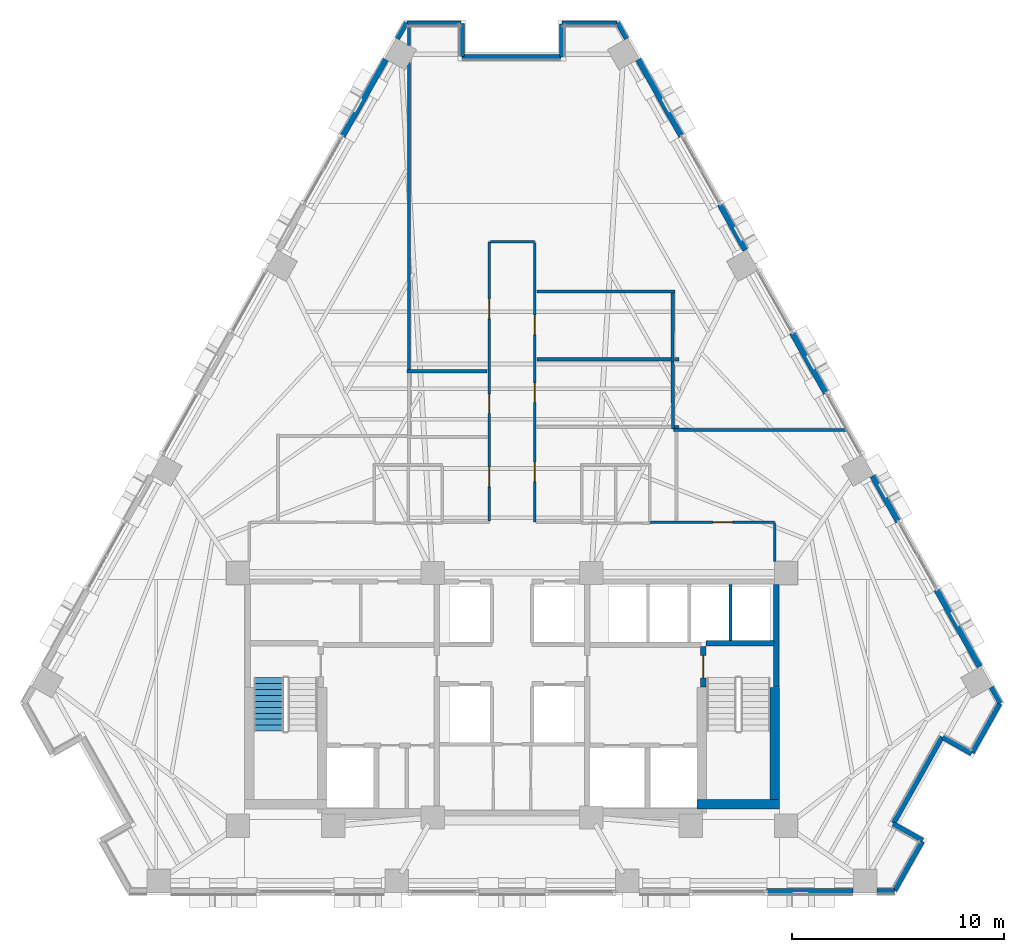
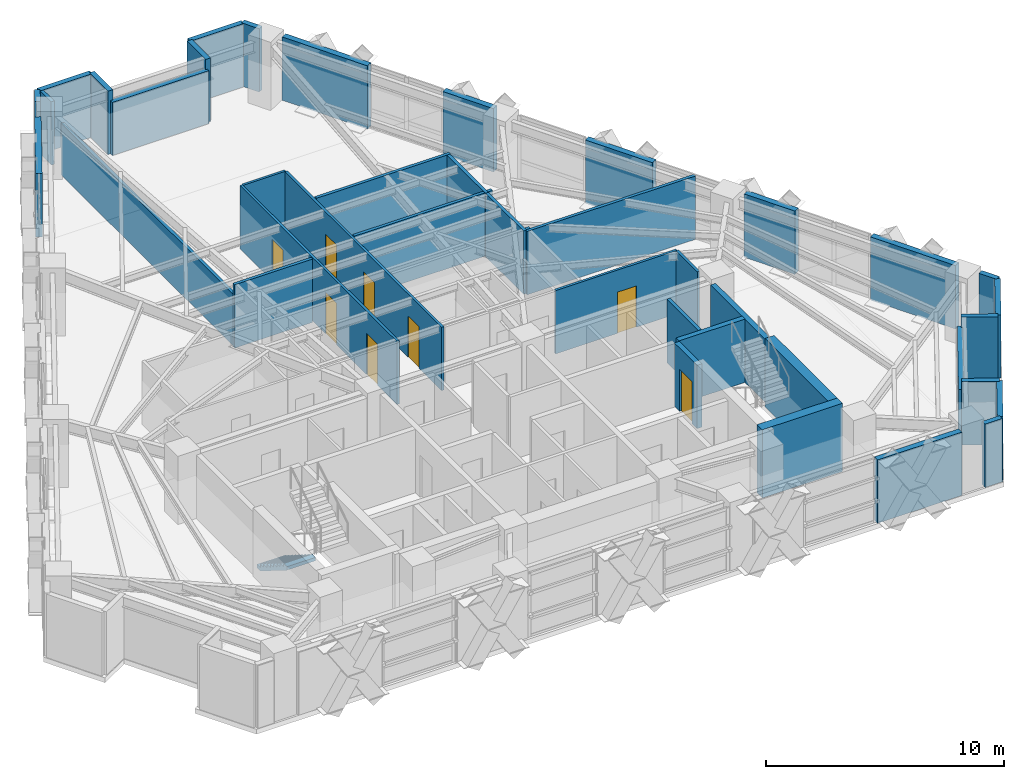
# One storey, part 9 of 14: 42 walls, 8 doors, 1 stair flight, 8 openings, 1 element without a shape of its own.
"""IFC4 building model written with IfcOpenShell, lengths in metres."""

from ifc_helpers import new_model, si_unit, direction, frame, frame_2d, origin, place, context, subcontext, project, spatial, polyline, rectangle, outline, extrude, material, layer, layer_set, type_object, element, fill, aggregate, save


model = new_model("IFC4")

# Units and contexts
model_context = context("Model", 3, precision=1e-05, world=origin(), true_north=direction((0.0, 1.0)))
body_context = subcontext(model_context, "Body", "Model", "MODEL_VIEW")
ifc_project = project(units=[si_unit("LENGTHUNIT", "METRE"), si_unit("AREAUNIT", "SQUARE_METRE"), si_unit("VOLUMEUNIT", "CUBIC_METRE"), si_unit("PLANEANGLEUNIT", "RADIAN"), si_unit("MASSUNIT", "GRAM", prefix="KILO")], contexts=[model_context])

# Site, building, storey
site_placement = place(None, origin())
site = spatial("IfcSite", under=ifc_project, at=site_placement, CompositionType="ELEMENT")
building_placement = place(site_placement, origin())
building = spatial("IfcBuilding", under=site, at=building_placement, Name="Quenlor Broadcast Tower", CompositionType="ELEMENT")
storey_placement = place(building_placement, frame((0.0, 0.0, 112.5)))
storey = spatial("IfcBuildingStorey", under=building, at=storey_placement, Name="L30", CompositionType="ELEMENT", Elevation=112.5)

# Walls
ifc_material_1 = material(Name="Acoustic Double Stud Gypsum Partition", Category="other")
ifc_layer_1 = layer(ifc_material_1, 0.14990234375)
ifc_layer_set_1 = layer_set([ifc_layer_1], Name="Broadcast Studio Acoustic Partition 150")
wall_type_1 = type_object("IfcWallType", Name="Broadcast Studio Acoustic Partition 150", PredefinedType="PARTITIONING", material=ifc_layer_set_1)
wall_1_placement = place(storey_placement, frame((7.693603515625, 8.5, 0.0), z_axis=(0.0, 0.0, 1.0), x_axis=(-1.0, 0.0, 0.0)))
element("IfcWall", 1, at=wall_1_placement, inside=storey, type_object=wall_type_1, Name="L30 Interior Wall PW-DV-01", PredefinedType="PARTITIONING", context=body_context, shape_type="SweptSolid", body=[
    extrude(rectangle(XDim=6.513671875, YDim=0.14990234375, at=frame_2d((3.2568359375, 0.0))), origin(), (0.0, 0.0, 1.0), 3.25),
])
wall_2_placement = place(storey_placement, frame((7.58984375, 5.199951171875, 0.0), z_axis=(0.0, 0.0, 1.0), x_axis=(0.001136190753, 0.999999354535, 0.0)))
element("IfcWall", 2, at=wall_2_placement, inside=storey, type_object=wall_type_1, Name="L30 Interior Wall PW-DV-02", PredefinedType="PARTITIONING", context=body_context, shape_type="SweptSolid", body=[
    extrude(rectangle(XDim=3.22314453125, YDim=0.14990234375, at=frame_2d((1.611572265625, 0.0))), origin(), (0.0, 0.0, 1.0), 3.25),
])
wall_3_placement = place(storey_placement, frame((7.60498046875, 2.0, 0.0), z_axis=(0.0, 0.0, 1.0), x_axis=(-0.004427775513, 0.999990197354, 0.0)))
element("IfcWall", 3, at=wall_3_placement, inside=storey, type_object=wall_type_1, Name="L30 Interior Wall PW-DV-03", PredefinedType="PARTITIONING", context=body_context, shape_type="SweptSolid", body=[
    extrude(rectangle(XDim=3.197998046875, YDim=0.14990234375, at=frame_2d((1.59912109375, 0.0))), origin(), (0.0, 0.0, 1.0), 3.25),
])
wall_4_placement = place(storey_placement, frame((-1.179931640625, 4.72998046875, 0.0), z_axis=(0.0, 0.0, 1.0), x_axis=(-1.0, 0.0, 0.0)))
element("IfcWall", 4, at=wall_4_placement, inside=storey, type_object=wall_type_1, Name="L30 Interior Wall PW-DV-04", PredefinedType="PARTITIONING", context=body_context, shape_type="SweptSolid", body=[
    extrude(rectangle(XDim=3.780029296875, YDim=0.14990234375, at=frame_2d((1.89013671875, 0.0))), origin(), (0.0, 0.0, 1.0), 3.25),
])
wall_5_placement = place(storey_placement, frame((-4.860107421875, 4.806884765625, 0.0), z_axis=(0.0, 0.0, 1.0), x_axis=(0.0, 1.0, 0.0)))
element("IfcWall", 5, at=wall_5_placement, inside=storey, type_object=wall_type_1, Name="L30 Interior Wall PW-DV-05", PredefinedType="PARTITIONING", context=body_context, shape_type="SweptSolid", body=[
    extrude(rectangle(XDim=14.50146484375, YDim=0.14990234375, at=frame_2d((7.250732421875, 0.0))), origin(), (0.0, 0.0, 1.0), 2.64794921875),
])
wall_6_placement = place(storey_placement, frame((-4.860107421875, 20.126220703125, 0.0), z_axis=(0.0, 0.0, 1.0), x_axis=(0.0, 1.0, 0.0)))
element("IfcWall", 6, at=wall_6_placement, inside=storey, type_object=wall_type_1, Name="L30 Interior Wall PW-DV-05S2", PredefinedType="PARTITIONING", context=body_context, shape_type="SweptSolid", body=[
    extrude(rectangle(XDim=0.919677734375, YDim=0.14990234375, at=frame_2d((0.4599609375, 0.0))), origin(), (0.0, 0.0, 1.0), 3.25),
])
wall_7_placement = place(storey_placement, frame((15.808349609375, 1.949462890625, 0.0), z_axis=(0.0, 0.0, 1.0), x_axis=(-0.999998283071, 0.001853066338, 0.0)))
element("IfcWall", 7, at=wall_7_placement, inside=storey, type_object=wall_type_1, Name="L30 Interior Wall PW-DV-06", PredefinedType="PARTITIONING", context=body_context, shape_type="SweptSolid", body=[
    extrude(rectangle(XDim=8.16845703125, YDim=0.14990234375, at=frame_2d((4.084228515625, 0.0))), origin(), (0.0, 0.0, 1.0), 3.25),
])
wall_8_placement = place(storey_placement, frame((7.8798828125, 5.300048828125, 0.0), z_axis=(0.0, 0.0, 1.0), x_axis=(-1.0, 0.0, 0.0)))
element("IfcWall", 8, at=wall_8_placement, inside=storey, type_object=wall_type_1, Name="L30 Interior Wall PW-DV-07", PredefinedType="PARTITIONING", context=body_context, shape_type="SweptSolid", body=[
    extrude(rectangle(XDim=0.212890625, YDim=0.14990234375, at=frame_2d((0.1064453125, 0.0))), origin(), (0.0, 0.0, 1.0), 3.25),
])
wall_9_placement = place(storey_placement, frame((7.512939453125, 5.300048828125, 0.0), z_axis=(0.0, 0.0, 1.0), x_axis=(-1.0, 0.0, 0.0)))
element("IfcWall", 9, at=wall_9_placement, inside=storey, type_object=wall_type_1, Name="L30 Interior Wall PW-DV-07S2", PredefinedType="PARTITIONING", context=body_context, shape_type="SweptSolid", body=[
    extrude(rectangle(XDim=6.3330078125, YDim=0.14990234375, at=frame_2d((3.16650390625, 0.0))), origin(), (0.0, 0.0, 1.0), 3.25),
])
wall_10_placement = place(storey_placement, frame((7.8798828125, 2.10009765625, 0.0), z_axis=(0.0, 0.0, 1.0), x_axis=(-1.0, 0.0, 0.0)))
element("IfcWall", 10, at=wall_10_placement, inside=storey, type_object=wall_type_1, Name="L30 Interior Wall PW-DV-08", PredefinedType="PARTITIONING", context=body_context, shape_type="SweptSolid", body=[
    extrude(rectangle(XDim=0.1982421875, YDim=0.14990234375, at=frame_2d((0.09912109375, 0.0))), origin(), (0.0, 0.0, 1.0), 3.25),
])
ifc_material_2 = material(Name="Concrete C50/60", Category="concrete")
ifc_layer_2 = layer(ifc_material_2, 0.449951171875)
ifc_layer_set_2 = layer_set([ifc_layer_2], Name="Core Concrete C50/60 Shear Wall 450")
wall_type_2 = type_object("IfcWallType", Name="Core Concrete C50/60 Shear Wall 450", PredefinedType="SHEAR", material=ifc_layer_set_2)
wall_11_placement = place(storey_placement, frame((8.75, -15.72509765625, 0.0), z_axis=(0.0, 0.0, 1.0), x_axis=(1.0, 0.0, 0.0)))
element("IfcWall", 11, at=wall_11_placement, inside=storey, type_object=wall_type_2, Name="L30 Core Shear Wall WS-E2", PredefinedType="SHEAR", context=body_context, shape_type="SweptSolid", body=[
    extrude(rectangle(XDim=3.89990234375, YDim=0.449951171875, at=frame_2d((1.949951171875, 0.0))), origin(), (0.0, 0.0, 1.0), 3.5),
])
wall_12_placement = place(storey_placement, frame((12.425048828125, -15.72509765625, 0.0), z_axis=(0.0, 0.0, 1.0), x_axis=(0.0, 1.0, 0.0)))
element("IfcWall", 12, at=wall_12_placement, inside=storey, type_object=wall_type_2, Name="L30 Core Shear Wall WF-E", PredefinedType="SHEAR", context=body_context, shape_type="SweptSolid", body=[
    extrude(rectangle(XDim=5.525146484375, YDim=0.449951171875, at=frame_2d((2.7626953125, 0.0))), origin(), (0.0, 0.0, 1.0), 3.5),
])

# Wall, opening, door
ifc_material_3 = material(Name="Concrete C40/50", Category="concrete")
ifc_layer_3 = layer(ifc_material_3, 0.25)
ifc_layer_set_3 = layer_set([ifc_layer_3], Name="Fire Rated Concrete C40/50 Core Wall 250")
wall_type_3 = type_object("IfcWallType", Name="Fire Rated Concrete C40/50 Core Wall 250", PredefinedType="PARTITIONING", material=ifc_layer_set_3)
wall_13_placement = place(storey_placement, frame((9.0400390625, -10.179931640625, 0.0), z_axis=(0.0, 0.0, 1.0), x_axis=(0.0, 1.0, 0.0)))
wall_13 = element("IfcWall", 13, at=wall_13_placement, inside=storey, type_object=wall_type_3, Name="L30 Interior Wall CW-ST2-DR", PredefinedType="PARTITIONING", context=body_context, shape_type="SweptSolid", body=[
    extrude(rectangle(XDim=1.89990234375, YDim=0.25, at=frame_2d((0.949951171875, 0.0))), origin(), (0.0, 0.0, 1.0), 3.25),
])
opening_1_placement = place(wall_13_placement, frame((0.419921875, 0.0, 0.0)))
opening_1 = element("IfcOpeningElement", 14, at=opening_1_placement, cuts=wall_13, Name="Opening FD-1", PredefinedType="OPENING", context=body_context, shape_type="SweptSolid", body=[
    extrude(rectangle(XDim=1.050048828125, YDim=2.14990234375, at=frame_2d((0.52490234375, 1.074951171875))), frame((0.0, 0.135009765625, 0.0), z_axis=(0.0, -1.0, 0.0), x_axis=(1.0, 0.0, 0.0)), (0.0, 0.0, 1.0), 0.27001953125),
])
ifc_material_4 = material(Name="Fire Rated Steel Door Leaf", Category="steel")
door_type_1 = type_object("IfcDoorType", Name="Fire Isolated Stair Door 1050x2150", OperationType="NOTDEFINED", PredefinedType="DOOR", material=ifc_material_4)
door_1_placement = place(opening_1_placement, origin())
door_1 = element("IfcDoor", 15, at=door_1_placement, inside=storey, type_object=door_type_1, Name="L30 Door DR-ST2", OperationType="SINGLE_SWING_RIGHT", OverallHeight=2.14990234375, OverallWidth=1.050048828125, PredefinedType="DOOR", context=body_context, shape_type="SweptSolid", body=[
    extrude(rectangle(XDim=1.050048828125, YDim=2.14990234375, at=frame_2d((0.52490234375, 1.074951171875))), frame((0.0, 0.02490234375, 0.0), z_axis=(0.0, -1.0, 0.0), x_axis=(1.0, 0.0, 0.0)), (0.0, 0.0, 1.0), 0.050048828125),
])
fill(opening_1, door_1)

# Walls
wall_14_placement = place(storey_placement, frame((9.159912109375, -8.1201171875, 0.0), z_axis=(0.0, 0.0, 1.0), x_axis=(1.0, 0.0, 0.0)))
element("IfcWall", 16, at=wall_14_placement, inside=storey, type_object=wall_type_3, Name="L30 Interior Wall CW-ST2-N", PredefinedType="PARTITIONING", context=body_context, shape_type="SweptSolid", body=[
    extrude(rectangle(XDim=3.219970703125, YDim=0.25, at=frame_2d((1.60986328125, 0.0))), origin(), (0.0, 0.0, 1.0), 3.25),
])
wall_15_placement = place(storey_placement, frame((12.47998046875, -10.179931640625, 0.0), z_axis=(0.0, 0.0, 1.0), x_axis=(0.0, 1.0, 0.0)))
element("IfcWall", 17, at=wall_15_placement, inside=storey, type_object=wall_type_3, Name="L30 Interior Wall CW-ST2-E2", PredefinedType="PARTITIONING", context=body_context, shape_type="SweptSolid", body=[
    extrude(rectangle(XDim=4.827880859375, YDim=0.25, at=frame_2d((2.4140625, 0.0))), origin(), (0.0, 0.0, 1.0), 3.25),
])
ifc_material_5 = material(Name="Gypsum Fireboard Partition", Category="other")
ifc_layer_4 = layer(ifc_material_5, 0.159912109375)
ifc_layer_set_4 = layer_set([ifc_layer_4], Name="Fire Rated Shaft and Corridor Partition 160")
wall_type_4 = type_object("IfcWallType", Name="Fire Rated Shaft and Corridor Partition 160", PredefinedType="PARTITIONING", material=ifc_layer_set_4)
wall_16_placement = place(storey_placement, frame((10.324951171875, -7.992919921875, 0.0), z_axis=(0.0, 0.0, 1.0), x_axis=(0.0, 1.0, 0.0)))
element("IfcWall", 18, at=wall_16_placement, inside=storey, type_object=wall_type_4, Name="L30 Interior Wall CW-PLH-D3", PredefinedType="PARTITIONING", context=body_context, shape_type="SweptSolid", body=[
    extrude(rectangle(XDim=2.65283203125, YDim=0.159912109375, at=frame_2d((1.326416015625, 0.0))), origin(), (0.0, 0.0, 1.0), 3.25),
])

# Wall, openings, doors
ifc_material_6 = material(Name="Gypsum Plasterboard Partition", Category="other")
ifc_layer_5 = layer(ifc_material_6, 0.1201171875)
ifc_layer_set_5 = layer_set([ifc_layer_5], Name="Standard Office Partition 120")
wall_type_5 = type_object("IfcWallType", Name="Standard Office Partition 120", PredefinedType="PARTITIONING", material=ifc_layer_set_5)
wall_17_placement = place(storey_placement, frame((-1.070068359375, -2.337890625, 0.0), z_axis=(0.0, 0.0, 1.0), x_axis=(0.0, 1.0, 0.0)))
wall_17 = element("IfcWall", 19, at=wall_17_placement, inside=storey, type_object=wall_type_5, Name="L30 Interior Wall PW-CR-03", PredefinedType="PARTITIONING", context=body_context, shape_type="SweptSolid", body=[
    extrude(rectangle(XDim=13.18798828125, YDim=0.1201171875, at=frame_2d((6.593994140625, 0.0))), origin(), (0.0, 0.0, 1.0), 3.25),
])
opening_2_placement = place(wall_17_placement, frame((9.55908203125, 0.0, 0.0)))
opening_2 = element("IfcOpeningElement", 20, at=opening_2_placement, cuts=wall_17, Name="Opening ID-1", PredefinedType="OPENING", context=body_context, shape_type="SweptSolid", body=[
    extrude(rectangle(XDim=0.919921875, YDim=2.1201171875, at=frame_2d((0.4599609375, 1.06005859375))), frame((0.0, 0.070068359375, 0.0), z_axis=(0.0, -1.0, 0.0), x_axis=(1.0, 0.0, 0.0)), (0.0, 0.0, 1.0), 0.14013671875),
])
opening_3_placement = place(wall_17_placement, frame((5.077880859375, 0.0, 0.0)))
opening_3 = element("IfcOpeningElement", 21, at=opening_3_placement, cuts=wall_17, Name="Opening ID-1", PredefinedType="OPENING", context=body_context, shape_type="SweptSolid", body=[
    extrude(rectangle(XDim=0.919921875, YDim=2.1201171875, at=frame_2d((0.4599609375, 1.06005859375))), frame((0.0, 0.070068359375, 0.0), z_axis=(0.0, -1.0, 0.0), x_axis=(1.0, 0.0, 0.0)), (0.0, 0.0, 1.0), 0.14013671875),
])
opening_4_placement = place(wall_17_placement, frame((1.6220703125, 0.0, 0.0)))
opening_4 = element("IfcOpeningElement", 22, at=opening_4_placement, cuts=wall_17, Name="Opening ID-1", PredefinedType="OPENING", context=body_context, shape_type="SweptSolid", body=[
    extrude(rectangle(XDim=0.919921875, YDim=2.1201171875, at=frame_2d((0.4599609375, 1.06005859375))), frame((0.0, 0.070068359375, 0.0), z_axis=(0.0, -1.0, 0.0), x_axis=(1.0, 0.0, 0.0)), (0.0, 0.0, 1.0), 0.14013671875),
])
ifc_material_7 = material(Name="Solid Core Timber Oak", Category="wood")
door_type_2 = type_object("IfcDoorType", Name="Single Leaf Timber Office Door 920x2120", OperationType="NOTDEFINED", PredefinedType="DOOR", material=ifc_material_7)
door_2_placement = place(opening_2_placement, origin())
door_2 = element("IfcDoor", 23, at=door_2_placement, inside=storey, type_object=door_type_2, Name="L30 Door DR-RM01", OperationType="SINGLE_SWING_RIGHT", OverallHeight=2.1201171875, OverallWidth=0.919921875, PredefinedType="DOOR", context=body_context, shape_type="SweptSolid", body=[
    extrude(rectangle(XDim=0.919921875, YDim=2.1201171875, at=frame_2d((0.4599609375, 1.06005859375))), frame((0.0, 0.02490234375, 0.0), z_axis=(0.0, -1.0, 0.0), x_axis=(1.0, 0.0, 0.0)), (0.0, 0.0, 1.0), 0.050048828125),
])
fill(opening_2, door_2)
door_3_placement = place(opening_3_placement, origin())
door_3 = element("IfcDoor", 24, at=door_3_placement, inside=storey, type_object=door_type_2, Name="L30 Door DR-RM04", OperationType="SINGLE_SWING_LEFT", OverallHeight=2.1201171875, OverallWidth=0.919921875, PredefinedType="DOOR", context=body_context, shape_type="SweptSolid", body=[
    extrude(rectangle(XDim=0.919921875, YDim=2.1201171875, at=frame_2d((0.4599609375, 1.06005859375))), frame((0.0, 0.02490234375, 0.0), z_axis=(0.0, -1.0, 0.0), x_axis=(1.0, 0.0, 0.0)), (0.0, 0.0, 1.0), 0.050048828125),
])
fill(opening_3, door_3)
door_4_placement = place(opening_4_placement, origin())
door_4 = element("IfcDoor", 25, at=door_4_placement, inside=storey, type_object=door_type_2, Name="L30 Door DR-RM06", OperationType="SINGLE_SWING_LEFT", OverallHeight=2.1201171875, OverallWidth=0.919921875, PredefinedType="DOOR", context=body_context, shape_type="SweptSolid", body=[
    extrude(rectangle(XDim=0.919921875, YDim=2.1201171875, at=frame_2d((0.4599609375, 1.06005859375))), frame((0.0, 0.02490234375, 0.0), z_axis=(0.0, -1.0, 0.0), x_axis=(1.0, 0.0, 0.0)), (0.0, 0.0, 1.0), 0.050048828125),
])
fill(opening_4, door_4)

# Wall
wall_18_placement = place(storey_placement, frame((-1.008056640625, 10.85009765625, 0.0), z_axis=(0.0, 0.0, 1.0), x_axis=(1.0, 0.0, 0.0)))
element("IfcWall", 26, at=wall_18_placement, inside=storey, type_object=wall_type_5, Name="L30 Interior Wall PW-CR-04", PredefinedType="PARTITIONING", context=body_context, shape_type="SweptSolid", body=[
    extrude(rectangle(XDim=2.078125, YDim=0.1201171875, at=frame_2d((1.0390625, 0.0))), origin(), (0.0, 0.0, 1.0), 3.25),
])

# Wall, openings, doors
wall_19_placement = place(storey_placement, frame((1.070068359375, 10.7880859375, 0.0), z_axis=(0.0, 0.0, 1.0), x_axis=(0.0, -1.0, 0.0)))
wall_19 = element("IfcWall", 27, at=wall_19_placement, inside=storey, type_object=wall_type_5, Name="L30 Interior Wall PW-CR-05", PredefinedType="PARTITIONING", context=body_context, shape_type="SweptSolid", body=[
    extrude(rectangle(XDim=13.18798828125, YDim=0.1201171875, at=frame_2d((6.593994140625, 0.0))), origin(), (0.0, 0.0, 1.0), 3.25),
])
opening_5_placement = place(wall_19_placement, frame((3.407958984375, 0.0, 0.0)))
opening_5 = element("IfcOpeningElement", 28, at=opening_5_placement, cuts=wall_19, Name="Opening ID-1", PredefinedType="OPENING", context=body_context, shape_type="SweptSolid", body=[
    extrude(rectangle(XDim=0.919921875, YDim=2.1201171875, at=frame_2d((0.4599609375, 1.06005859375))), frame((0.0, 0.070068359375, 0.0), z_axis=(0.0, -1.0, 0.0), x_axis=(1.0, 0.0, 0.0)), (0.0, 0.0, 1.0), 0.14013671875),
])
opening_6_placement = place(wall_19_placement, frame((6.60791015625, 0.0, 0.0)))
opening_6 = element("IfcOpeningElement", 29, at=opening_6_placement, cuts=wall_19, Name="Opening ID-1", PredefinedType="OPENING", context=body_context, shape_type="SweptSolid", body=[
    extrude(rectangle(XDim=0.919921875, YDim=2.1201171875, at=frame_2d((0.4599609375, 1.06005859375))), frame((0.0, 0.070068359375, 0.0), z_axis=(0.0, -1.0, 0.0), x_axis=(1.0, 0.0, 0.0)), (0.0, 0.0, 1.0), 0.14013671875),
])
opening_7_placement = place(wall_19_placement, frame((10.34912109375, 0.0, 0.0)))
opening_7 = element("IfcOpeningElement", 30, at=opening_7_placement, cuts=wall_19, Name="Opening ID-1", PredefinedType="OPENING", context=body_context, shape_type="SweptSolid", body=[
    extrude(rectangle(XDim=0.919921875, YDim=2.1201171875, at=frame_2d((0.4599609375, 1.06005859375))), frame((0.0, 0.070068359375, 0.0), z_axis=(0.0, -1.0, 0.0), x_axis=(1.0, 0.0, 0.0)), (0.0, 0.0, 1.0), 0.14013671875),
])
door_5_placement = place(opening_5_placement, origin())
door_5 = element("IfcDoor", 31, at=door_5_placement, inside=storey, type_object=door_type_2, Name="L30 Door DR-RM02", OperationType="SINGLE_SWING_LEFT", OverallHeight=2.1201171875, OverallWidth=0.919921875, PredefinedType="DOOR", context=body_context, shape_type="SweptSolid", body=[
    extrude(rectangle(XDim=0.919921875, YDim=2.1201171875, at=frame_2d((0.4599609375, 1.06005859375))), frame((0.0, 0.02490234375, 0.0), z_axis=(0.0, -1.0, 0.0), x_axis=(1.0, 0.0, 0.0)), (0.0, 0.0, 1.0), 0.050048828125),
])
fill(opening_5, door_5)
door_6_placement = place(opening_6_placement, origin())
door_6 = element("IfcDoor", 32, at=door_6_placement, inside=storey, type_object=door_type_2, Name="L30 Door DR-RM03", OperationType="SINGLE_SWING_RIGHT", OverallHeight=2.1201171875, OverallWidth=0.919921875, PredefinedType="DOOR", context=body_context, shape_type="SweptSolid", body=[
    extrude(rectangle(XDim=0.919921875, YDim=2.1201171875, at=frame_2d((0.4599609375, 1.06005859375))), frame((0.0, 0.02490234375, 0.0), z_axis=(0.0, -1.0, 0.0), x_axis=(1.0, 0.0, 0.0)), (0.0, 0.0, 1.0), 0.050048828125),
])
fill(opening_6, door_6)
door_7_placement = place(opening_7_placement, origin())
door_7 = element("IfcDoor", 33, at=door_7_placement, inside=storey, type_object=door_type_2, Name="L30 Door DR-RM05", OperationType="SINGLE_SWING_RIGHT", OverallHeight=2.1201171875, OverallWidth=0.919921875, PredefinedType="DOOR", context=body_context, shape_type="SweptSolid", body=[
    extrude(rectangle(XDim=0.919921875, YDim=2.1201171875, at=frame_2d((0.4599609375, 1.06005859375))), frame((0.0, 0.02490234375, 0.0), z_axis=(0.0, -1.0, 0.0), x_axis=(1.0, 0.0, 0.0)), (0.0, 0.0, 1.0), 0.050048828125),
])
fill(opening_7, door_7)

# Wall, opening, door
wall_20_placement = place(storey_placement, frame((6.511962890625, -2.39990234375, 0.0), z_axis=(0.0, 0.0, 1.0), x_axis=(1.0, 0.0, 0.0)))
wall_20 = element("IfcWall", 34, at=wall_20_placement, inside=storey, type_object=wall_type_5, Name="L30 Interior Wall PW-CR-06S2", PredefinedType="PARTITIONING", context=body_context, shape_type="SweptSolid", body=[
    extrude(rectangle(XDim=5.89794921875, YDim=0.1201171875, at=frame_2d((2.948974609375, 0.0))), origin(), (0.0, 0.0, 1.0), 3.25),
])
opening_8_placement = place(wall_20_placement, frame((2.993896484375, 0.0, 0.0)))
opening_8 = element("IfcOpeningElement", 35, at=opening_8_placement, cuts=wall_20, Name="Opening ID-1", PredefinedType="OPENING", context=body_context, shape_type="SweptSolid", body=[
    extrude(rectangle(XDim=0.919921875, YDim=2.1201171875, at=frame_2d((0.4599609375, 1.06005859375))), frame((0.0, 0.070068359375, 0.0), z_axis=(0.0, -1.0, 0.0), x_axis=(1.0, 0.0, 0.0)), (0.0, 0.0, 1.0), 0.14013671875),
])
door_8_placement = place(opening_8_placement, origin())
door_8 = element("IfcDoor", 36, at=door_8_placement, inside=storey, type_object=door_type_2, Name="L30 Door DR-RM08", OperationType="SINGLE_SWING_LEFT", OverallHeight=2.1201171875, OverallWidth=0.919921875, PredefinedType="DOOR", context=body_context, shape_type="SweptSolid", body=[
    extrude(rectangle(XDim=0.919921875, YDim=2.1201171875, at=frame_2d((0.4599609375, 1.06005859375))), frame((0.0, 0.02490234375, 0.0), z_axis=(0.0, -1.0, 0.0), x_axis=(1.0, 0.0, 0.0)), (0.0, 0.0, 1.0), 0.050048828125),
])
fill(opening_8, door_8)

# Walls
wall_21_placement = place(storey_placement, frame((12.409912109375, -2.4619140625, 0.0), z_axis=(0.0, 0.0, 1.0), x_axis=(0.0, -1.0, 0.0)))
element("IfcWall", 37, at=wall_21_placement, inside=storey, type_object=wall_type_5, Name="L30 Interior Wall PW-CR-07", PredefinedType="PARTITIONING", context=body_context, shape_type="SweptSolid", body=[
    extrude(rectangle(XDim=1.7861328125, YDim=0.1201171875, at=frame_2d((0.89306640625, 0.0))), origin(), (0.0, 0.0, 1.0), 3.25),
])
ifc_material_8 = material(Name="Precast concrete C40/50", Category="concrete")
ifc_layer_6 = layer(ifc_material_8, 0.239990234375)
ifc_layer_set_6 = layer_set([ifc_layer_6], Name="Terrace Threshold Precast Concrete C40/50 Wall 240")
wall_type_6 = type_object("IfcWallType", Name="Terrace Threshold Precast Concrete C40/50 Wall 240", PredefinedType="STANDARD", material=ifc_layer_set_6)
wall_22_placement = place(storey_placement, frame((18.083984375, -19.840087890625, 0.0), z_axis=(0.0, 0.0, 1.0), x_axis=(-1.0, 0.0, 0.0)))
element("IfcWall", 38, at=wall_22_placement, inside=storey, type_object=wall_type_6, Name="L30 Exterior Wall L30-SHD-SS0", PredefinedType="STANDARD", context=body_context, shape_type="SweptSolid", body=[
    extrude(rectangle(XDim=0.83642578125, YDim=0.239990234375, at=frame_2d((0.418212890625, 0.0))), origin(), (0.0, 0.0, 1.0), 3.25),
])
for number, where, z_axis, x_axis, name in (
    (39, (4.992919921875, 21.197265625, 0.0), (0.0, 0.0, 1.0), (0.490355003566, -0.871522788272, 0.0), "L30 Exterior Wall L30-SHD-NES0"),
    (40, (22.65380859375, -10.199951171875, 0.0), (0.0, 0.0, 1.0), (0.490355003566, -0.871522788272, 0.0), "L30 Exterior Wall L30-SHD-NES1"),
    (41, (-5.417236328125, 20.443115234375, 0.0), (0.0, 0.0, 1.0), (0.490355003566, 0.871522788272, 0.0), "L30 Exterior Wall L30-SHD-NWS1"),
):
    element("IfcWall", number, at=place(storey_placement, frame(where, z_axis=z_axis, x_axis=x_axis)), inside=storey, type_object=wall_type_6, Name=name, PredefinedType="STANDARD", context=body_context, shape_type="SweptSolid", body=[
        extrude(rectangle(XDim=0.865234375, YDim=0.239990234375, at=frame_2d((0.4326171875, 0.0))), origin(), (0.0, 0.0, 1.0), 3.25),
    ])
wall_23_placement = place(storey_placement, frame((19.39892578125, -17.4423828125, 0.0), z_axis=(0.0, 0.0, 1.0), x_axis=(-0.871575537125, 0.490261239633, 0.0)))
element("IfcWall", 42, at=wall_23_placement, inside=storey, type_object=wall_type_6, Name="L30 Exterior Wall L30-CNR-01", PredefinedType="STANDARD", context=body_context, shape_type="SweptSolid", body=[
    extrude(rectangle(XDim=1.60009765625, YDim=0.239990234375, at=frame_2d((0.800048828125, 0.0))), origin(), (0.0, 0.0, 1.0), 3.25),
])
wall_24_placement = place(storey_placement, frame((18.024169921875, -16.623046875, 0.0), z_axis=(0.0, 0.0, 1.0), x_axis=(0.490273623647, 0.871568571001, 0.0)))
element("IfcWall", 43, at=wall_24_placement, inside=storey, type_object=wall_type_6, Name="L30 Exterior Wall L30-CNR-02", PredefinedType="STANDARD", context=body_context, shape_type="SweptSolid", body=[
    extrude(rectangle(XDim=4.679931640625, YDim=0.239990234375, at=frame_2d((2.33984375, 0.0))), origin(), (0.0, 0.0, 1.0), 2.7216796875),
])
wall_25_placement = place(storey_placement, frame((20.353515625, -12.563720703125, 0.0), z_axis=(0.0, 0.0, 1.0), x_axis=(0.871546278971, -0.490313250496, 0.0)))
element("IfcWall", 44, at=wall_25_placement, inside=storey, type_object=wall_type_6, Name="L30 Exterior Wall L30-CNR-03", PredefinedType="STANDARD", context=body_context, shape_type="SweptSolid", body=[
    extrude(rectangle(XDim=1.56005859375, YDim=0.239990234375, at=frame_2d((0.780029296875, 0.0))), origin(), (0.0, 0.0, 1.0), 3.25),
])
wall_26_placement = place(storey_placement, frame((21.732666015625, -13.293701171875, 0.0), z_axis=(0.0, 0.0, 1.0), x_axis=(0.490265590412, 0.871573089797, 0.0)))
element("IfcWall", 45, at=wall_26_placement, inside=storey, type_object=wall_type_6, Name="L30 Exterior Wall L30-CNR-04", PredefinedType="STANDARD", context=body_context, shape_type="SweptSolid", body=[
    extrude(rectangle(XDim=2.6640625, YDim=0.239990234375, at=frame_2d((1.33203125, 0.0))), origin(), (0.0, 0.0, 1.0), 3.25),
])
wall_27_placement = place(storey_placement, frame((4.95947265625, 21.16796875, 0.0), z_axis=(0.0, 0.0, 1.0), x_axis=(-1.0, 0.0, 0.0)))
element("IfcWall", 46, at=wall_27_placement, inside=storey, type_object=wall_type_6, Name="L30 Exterior Wall L30-CNR-06", PredefinedType="STANDARD", context=body_context, shape_type="SweptSolid", body=[
    extrude(rectangle(XDim=2.599365234375, YDim=0.239990234375, at=frame_2d((1.2998046875, 0.0))), origin(), (0.0, 0.0, 1.0), 3.25),
])
wall_28_placement = place(storey_placement, frame((2.360107421875, 21.1279296875, 0.0), z_axis=(0.0, 0.0, 1.0), x_axis=(0.0, -1.0, 0.0)))
element("IfcWall", 47, at=wall_28_placement, inside=storey, type_object=wall_type_6, Name="L30 Exterior Wall L30-CNR-07", PredefinedType="STANDARD", context=body_context, shape_type="SweptSolid", body=[
    extrude(rectangle(XDim=1.559814453125, YDim=0.239990234375, at=frame_2d((0.77978515625, 0.0))), origin(), (0.0, 0.0, 1.0), 3.25),
])
wall_29_placement = place(storey_placement, frame((2.320068359375, 19.568115234375, 0.0), z_axis=(0.0, 0.0, 1.0), x_axis=(-1.0, 0.0, 0.0)))
element("IfcWall", 48, at=wall_29_placement, inside=storey, type_object=wall_type_6, Name="L30 Exterior Wall L30-CNR-08", PredefinedType="STANDARD", context=body_context, shape_type="SweptSolid", body=[
    extrude(rectangle(XDim=4.68017578125, YDim=0.239990234375, at=frame_2d((2.340087890625, 0.0))), origin(), (0.0, 0.0, 1.0), 2.7216796875),
])
wall_30_placement = place(storey_placement, frame((-2.360107421875, 19.60791015625, 0.0), z_axis=(0.0, 0.0, 1.0), x_axis=(0.0, 1.0, 0.0)))
element("IfcWall", 49, at=wall_30_placement, inside=storey, type_object=wall_type_6, Name="L30 Exterior Wall L30-CNR-09", PredefinedType="STANDARD", context=body_context, shape_type="SweptSolid", body=[
    extrude(rectangle(XDim=1.56005859375, YDim=0.239990234375, at=frame_2d((0.780029296875, 0.0))), origin(), (0.0, 0.0, 1.0), 3.25),
])
wall_31_placement = place(storey_placement, frame((-2.39990234375, 21.16796875, 0.0), z_axis=(0.0, 0.0, 1.0), x_axis=(-1.0, 0.0, 0.0)))
element("IfcWall", 50, at=wall_31_placement, inside=storey, type_object=wall_type_6, Name="L30 Exterior Wall L30-CNR-10", PredefinedType="STANDARD", context=body_context, shape_type="SweptSolid", body=[
    extrude(rectangle(XDim=2.5595703125, YDim=0.239990234375, at=frame_2d((1.27978515625, 0.0))), origin(), (0.0, 0.0, 1.0), 3.25),
])
wall_32_placement = place(storey_placement, frame((18.074951171875, -19.79638671875, 0.0), z_axis=(0.0, 0.0, 1.0), x_axis=(0.490248170584, 0.871582888335, 0.0)))
element("IfcWall", 51, at=wall_32_placement, inside=storey, type_object=wall_type_6, Name="L30 Exterior Wall L30-CNR-18", PredefinedType="STANDARD", context=body_context, shape_type="SweptSolid", body=[
    extrude(rectangle(XDim=2.660888671875, YDim=0.239990234375, at=frame_2d((1.33056640625, 0.0))), origin(), (0.0, 0.0, 1.0), 3.25),
])
ifc_material_9 = material(Name="Precast concrete C40/50", Category="concrete")
ifc_layer_7 = layer(ifc_material_9, 0.280029296875)
ifc_layer_set_7 = layer_set([ifc_layer_7], Name="Terracotta Precast Concrete C40/50 Facade Wall 280")
wall_type_7 = type_object("IfcWallType", Name="Terracotta Precast Concrete C40/50 Facade Wall 280", PredefinedType="STANDARD", material=ifc_layer_set_7)
wall_33_placement = place(storey_placement, frame((16.117431640625, -19.840087890625, 0.0), z_axis=(0.0, 0.0, 1.0), x_axis=(-1.0, 0.0, 0.0)))
element("IfcWall", 52, at=wall_33_placement, inside=storey, type_object=wall_type_7, Name="L30 Exterior Wall L30-SA-SP1", PredefinedType="STANDARD", context=body_context, shape_type="SweptSolid", body=[
    extrude(rectangle(XDim=4.09814453125, YDim=0.280029296875, at=frame_2d((2.049072265625, 0.0))), origin(), (0.0, 0.0, 1.0), 3.25),
])
wall_34_placement = place(storey_placement, frame((5.97119140625, 19.458251953125, 0.0), z_axis=(0.0, 0.0, 1.0), x_axis=(0.490280725514, -0.87156457603, 0.0)))
element("IfcWall", 53, at=wall_34_placement, inside=storey, type_object=wall_type_7, Name="L30 Exterior Wall L30-NEA-SP1", PredefinedType="STANDARD", context=body_context, shape_type="SweptSolid", body=[
    extrude(rectangle(XDim=4.1640625, YDim=0.280029296875, at=frame_2d((2.08203125, 0.0))), origin(), (0.0, 0.0, 1.0), 3.25),
])
for number, where, z_axis, x_axis, name in (
    (54, (9.819091796875, 12.6171875, 0.0), (0.0, 0.0, 1.0), (0.490303410255, -0.871551814807, 0.0), "L30 Exterior Wall L30-NEA-SP2"),
    (55, (17.0390625, -0.218017578125, 0.0), (0.0, 0.0, 1.0), (0.490186269625, -0.871617703509, 0.0), "L30 Exterior Wall L30-NEC-SP1"),
):
    element("IfcWall", number, at=place(storey_placement, frame(where, z_axis=z_axis, x_axis=x_axis)), inside=storey, type_object=wall_type_7, Name=name, PredefinedType="STANDARD", context=body_context, shape_type="SweptSolid", body=[
        extrude(rectangle(XDim=2.473876953125, YDim=0.280029296875, at=frame_2d((1.23681640625, 0.0))), origin(), (0.0, 0.0, 1.0), 3.25),
    ])
wall_35_placement = place(storey_placement, frame((20.058349609375, -5.585693359375, 0.0), z_axis=(0.0, 0.0, 1.0), x_axis=(0.490255672477, -0.871578668626, 0.0)))
element("IfcWall", 56, at=wall_35_placement, inside=storey, type_object=wall_type_7, Name="L30 Exterior Wall L30-NEC-SP2", PredefinedType="STANDARD", context=body_context, shape_type="SweptSolid", body=[
    extrude(rectangle(XDim=4.1640625, YDim=0.280029296875, at=frame_2d((2.08203125, 0.0))), origin(), (0.0, 0.0, 1.0), 3.25),
])
wall_36_placement = place(storey_placement, frame((13.232177734375, 6.549560546875, 0.0), z_axis=(0.0, 0.0, 1.0), x_axis=(0.490310760781, -0.871547679626, 0.0)))
element("IfcWall", 57, at=wall_36_placement, inside=storey, type_object=wall_type_7, Name="L30 Exterior Wall L30-NE-SP1", PredefinedType="STANDARD", context=body_context, shape_type="SweptSolid", body=[
    extrude(rectangle(XDim=3.27685546875, YDim=0.280029296875, at=frame_2d((1.638427734375, 0.0))), origin(), (0.0, 0.0, 1.0), 3.25),
])
wall_37_placement = place(storey_placement, frame((-8.0126953125, 15.8291015625, 0.0), z_axis=(0.0, 0.0, 1.0), x_axis=(0.490280725514, 0.87156457603, 0.0)))
element("IfcWall", 58, at=wall_37_placement, inside=storey, type_object=wall_type_7, Name="L30 Exterior Wall L30-NWC-SP2", PredefinedType="STANDARD", context=body_context, shape_type="SweptSolid", body=[
    extrude(rectangle(XDim=4.1640625, YDim=0.280029296875, at=frame_2d((2.08203125, 0.0))), origin(), (0.0, 0.0, 1.0), 3.25),
])

# Stair, stair flight
ifc_material_10 = material(Name="Precast concrete C40/50", Category="concrete")
stair_type = type_object("IfcStairType", Name="Precast Concrete C40/50 Dogleg Stair H350", PredefinedType="HALF_TURN_STAIR", material=ifc_material_10)
stair_placement = place(storey_placement, origin())
stair = element("IfcStair", 59, at=stair_placement, inside=storey, type_object=stair_type, Name="L30 West Core Fire-Isolated Exit Stair ST-1", PredefinedType="HALF_TURN_STAIR")
ifc_material_11 = material(Name="Precast concrete C40/50", Category="concrete")
ifc_layer_8 = layer(ifc_material_11, 0.159912109375)
ifc_layer_set_8 = layer_set([ifc_layer_8], Name="Precast Concrete C40/50 Stair Flight H350")
stair_flight_type = type_object("IfcStairFlightType", Name="Precast Concrete C40/50 Stair Flight H350", PredefinedType="STRAIGHT", material=ifc_layer_set_8)
stair_flight_placement = place(storey_placement, frame((-11.5, -9.75, 0.0), z_axis=(0.0, 0.0, 1.0), x_axis=(0.0, -1.0, 0.0)))
stair_flight = element("IfcStairFlight", 60, at=stair_flight_placement, type_object=stair_flight_type, Name="ST-1 flight 1", NumberOfRisers=10, NumberOfTreads=9, PredefinedType="STRAIGHT", RiserHeight=0.175, TreadLength=0.28, context=body_context, shape_type="SweptSolid", body=[
    extrude(outline(polyline([(0.0, 0.0), (0.0, 0.175048828125), (0.280029296875, 0.175048828125), (0.280029296875, 0.35009765625), (0.56005859375, 0.35009765625), (0.56005859375, 0.52490234375), (0.840087890625, 0.52490234375), (0.840087890625, 0.699951171875), (1.1201171875, 0.699951171875), (1.1201171875, 0.875), (1.39990234375, 0.875), (1.39990234375, 1.050048828125), (1.679931640625, 1.050048828125), (1.679931640625, 1.22509765625), (1.9599609375, 1.22509765625), (1.9599609375, 1.39990234375), (2.239990234375, 1.39990234375), (2.239990234375, 1.574951171875), (2.52001953125, 1.574951171875), (2.52001953125, 1.75), (2.52001953125, 1.398193359375), (0.28271484375, 0.0), (0.0, 0.0)])), frame((0.0, 0.699951171875, 0.0), z_axis=(0.0, -1.0, 0.0), x_axis=(1.0, 0.0, 0.0)), (0.0, 0.0, 1.0), 1.39990234375),
])
aggregate(stair, [stair_flight])

save(model, "model.ifc")
